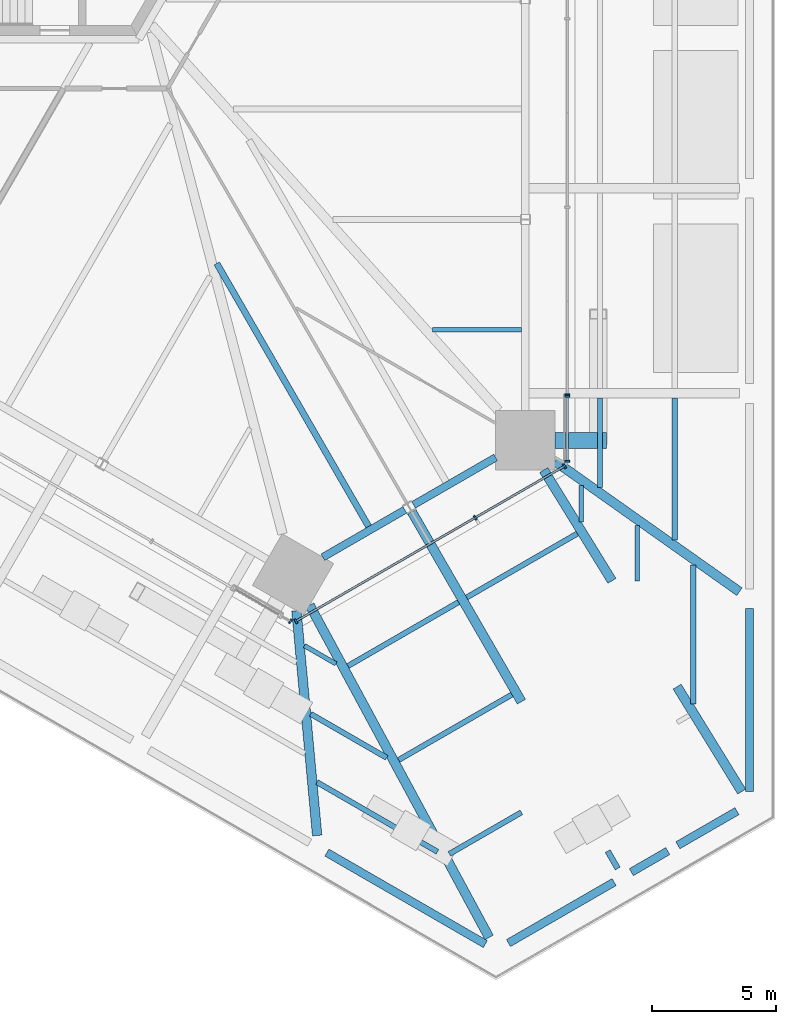
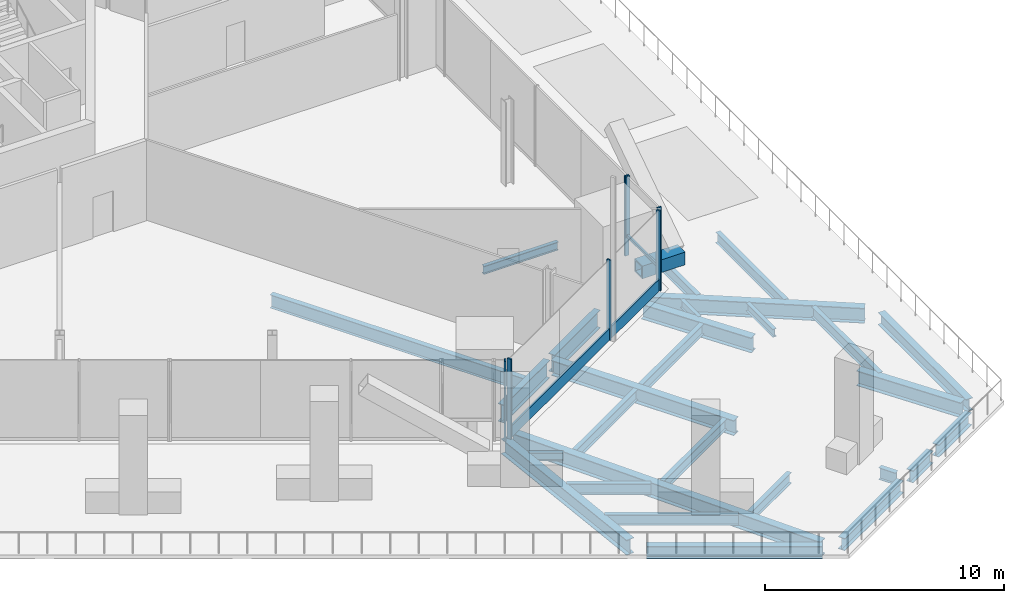
# One storey, part 10 of 38: 28 beams, 11 members, 4 elements without a shape of their own.
"""IFC4 building model written with IfcOpenShell, lengths in metres."""

from ifc_helpers import new_model, si_unit, direction, frame, origin, origin_2d, place, context, subcontext, project, spatial, rectangle, hollow_rectangle, i_section, extrude, source, transform, mapped, material, material_profile, profile_set, type_object, element, aggregate, save


model = new_model("IFC4")

# Units and contexts
model_context = context("Model", 3, precision=1e-05, world=origin(), true_north=direction((0.0, 1.0)))
body_context = subcontext(model_context, "Body", "Model", "MODEL_VIEW")
ifc_project = project(units=[si_unit("LENGTHUNIT", "METRE"), si_unit("AREAUNIT", "SQUARE_METRE"), si_unit("VOLUMEUNIT", "CUBIC_METRE"), si_unit("PLANEANGLEUNIT", "RADIAN"), si_unit("MASSUNIT", "GRAM", prefix="KILO")], contexts=[model_context])

# Site, building, storey
site_placement = place(None, origin())
site = spatial("IfcSite", under=ifc_project, at=site_placement, CompositionType="ELEMENT")
building_placement = place(site_placement, origin())
building = spatial("IfcBuilding", under=site, at=building_placement, Name="Triune Harvest Tower", CompositionType="ELEMENT")
storey_placement = place(building_placement, frame((0.0, 0.0, 16.0)))
storey = spatial("IfcBuildingStorey", under=building, at=storey_placement, Name="L03", CompositionType="ELEMENT", Elevation=16.0)

# Curtain wall, member
ifc_material_1 = material(Name="Aluminium bronze anodised", Category="aluminium")
curtain_wall_type_1 = type_object("IfcCurtainWallType", Name="CW-10 Balcony window wall with insulated spandrel infill", PredefinedType="NOTDEFINED", material=ifc_material_1)
curtain_wall_1_placement = place(storey_placement, origin())
curtain_wall_1 = element("IfcCurtainWall", 1, at=curtain_wall_1_placement, inside=storey, type_object=curtain_wall_type_1, Name="CW-10 B1-F1 L03 run 1")
ifc_material_2 = material(Name="Aluminium bronze anodised", Category="aluminium")
ifc_material_profile_1 = material_profile(ifc_material_2, rectangle(XDim=0.090087890625, YDim=0.14990234375, at=origin_2d()), Name="TR-6 transom 90 x 150")
ifc_profile_set_1 = profile_set([ifc_material_profile_1], Name="Aluminium bronze anodised")
member_type_1 = type_object("IfcMemberType", Name="TR-6 transom 90 x 150", PredefinedType="USERDEFINED", material=ifc_profile_set_1)
member_1_placement = place(storey_placement, frame((23.371337890625, -27.541748046875, 1.06005859375), z_axis=(0.0, 1.0, 0.0), x_axis=(-1.0, 0.0, 0.0)))
member_1 = element("IfcMember", 2, at=member_1_placement, type_object=member_type_1, Name="CW-10 transom B1-F1 1.1", ObjectType="TRANSOM", PredefinedType="USERDEFINED", context=body_context, shape_type="SweptSolid", body=[
    extrude(rectangle(XDim=0.090087890625, YDim=0.14990234375, at=origin_2d()), origin(), (0.0, 0.0, 1.0), 2.546142578125),
])

# Beams
ifc_material_3 = material(Name="Steel ASTM A992 Gr 50", Category="steel")
ifc_material_profile_2 = material_profile(ifc_material_3, i_section(OverallWidth=0.32763671875, OverallDepth=0.62744140625, WebThickness=0.0166015625, FlangeThickness=0.027587890625, at=origin_2d()), Name="W24x146")
ifc_profile_set_2 = profile_set([ifc_material_profile_2], Name="Steel ASTM A992 Gr 50")
beam_type_1 = type_object("IfcBeamType", Name="PD-4 Podium edge beam W24x146", PredefinedType="BEAM", material=ifc_profile_set_2)
shared_shape_1 = source(origin(), body_context, "Body", "SweptSolid", [
    extrude(i_section(OverallWidth=0.32763671875, OverallDepth=0.62744140625, WebThickness=0.0166015625, FlangeThickness=0.027587890625, at=origin_2d()), origin(), (0.0, 0.0, 1.0), 7.3798828125),
])
beam_1_placement = place(storey_placement, frame((30.715087890625, -40.89990234375, -0.513671875), z_axis=(0.0, 1.0, 0.0), x_axis=(-1.0, 0.0, 0.0)))
element("IfcBeam", 3, at=beam_1_placement, inside=storey, type_object=beam_type_1, Name="beam/L03/PE1", PredefinedType="BEAM", context=body_context, shape_type="MappedRepresentation", body=[
    mapped(shared_shape_1, transform((0.0, 0.0, 0.0), scale=1.0)),
])
shared_shape_2 = source(origin(), body_context, "Body", "SweptSolid", [
    extrude(i_section(OverallWidth=0.32763671875, OverallDepth=0.62744140625, WebThickness=0.0166015625, FlangeThickness=0.027587890625, at=origin_2d()), origin(), (0.0, 0.0, 1.0), 2.75390625),
])
beam_2_placement = place(storey_placement, frame((27.830078125, -43.065673828125, -0.513671875), z_axis=(0.866030577522, 0.499991038717, 0.0), x_axis=(-0.499991038717, 0.866030577522, 0.0)))
element("IfcBeam", 4, at=beam_2_placement, inside=storey, type_object=beam_type_1, Name="beam/L03/PE38", PredefinedType="BEAM", context=body_context, shape_type="MappedRepresentation", body=[
    mapped(shared_shape_2, transform((0.0, 0.0, 0.0), scale=1.0)),
])
shared_shape_3 = source(origin(), body_context, "Body", "SweptSolid", [
    extrude(i_section(OverallWidth=0.32763671875, OverallDepth=0.62744140625, WebThickness=0.0166015625, FlangeThickness=0.027587890625, at=origin_2d()), origin(), (0.0, 0.0, 1.0), 1.699951171875),
])
beam_3_placement = place(storey_placement, frame((25.951904296875, -44.14990234375, -0.513671875), z_axis=(0.866087547558, 0.499892348375, 0.0), x_axis=(-0.499892348375, 0.866087547558, 0.0)))
element("IfcBeam", 5, at=beam_3_placement, inside=storey, type_object=beam_type_1, Name="beam/L03/PE37", PredefinedType="BEAM", context=body_context, shape_type="MappedRepresentation", body=[
    mapped(shared_shape_3, transform((0.0, 0.0, 0.0), scale=1.0)),
])
shared_shape_4 = source(origin(), body_context, "Body", "SweptSolid", [
    extrude(i_section(OverallWidth=0.32763671875, OverallDepth=0.62744140625, WebThickness=0.0166015625, FlangeThickness=0.027587890625, at=origin_2d()), origin(), (0.0, 0.0, 1.0), 4.922607421875),
])
beam_4_placement = place(storey_placement, frame((20.995849609375, -47.01123046875, -0.513671875), z_axis=(0.866040230151, 0.499974319101, 0.0), x_axis=(-0.499974319101, 0.866040230151, 0.0)))
element("IfcBeam", 6, at=beam_4_placement, inside=storey, type_object=beam_type_1, Name="beam/L03/PE36", PredefinedType="BEAM", context=body_context, shape_type="MappedRepresentation", body=[
    mapped(shared_shape_4, transform((0.0, 0.0, 0.0), scale=1.0)),
])
shared_shape_5 = source(origin(), body_context, "Body", "SweptSolid", [
    extrude(i_section(OverallWidth=0.32763671875, OverallDepth=0.62744140625, WebThickness=0.0166015625, FlangeThickness=0.027587890625, at=origin_2d()), origin(), (0.0, 0.0, 1.0), 7.380126953125),
])
beam_5_placement = place(storey_placement, frame((13.671630859375, -43.360107421875, -0.513671875), z_axis=(0.866031888401, -0.499988768146, 0.0), x_axis=(0.499988768146, 0.866031888401, 0.0)))
element("IfcBeam", 7, at=beam_5_placement, inside=storey, type_object=beam_type_1, Name="beam/L03/PE35", PredefinedType="BEAM", context=body_context, shape_type="MappedRepresentation", body=[
    mapped(shared_shape_5, transform((0.0, 0.0, 0.0), scale=1.0)),
])
ifc_material_4 = material(Name="Steel ASTM A992 Gr 50", Category="steel")
ifc_material_profile_3 = material_profile(ifc_material_4, i_section(OverallWidth=0.381103515625, OverallDepth=0.772216796875, WebThickness=0.0166015625, FlangeThickness=0.027099609375, at=origin_2d()), Name="W30x173")
ifc_profile_set_3 = profile_set([ifc_material_profile_3], Name="Steel ASTM A992 Gr 50")
beam_type_2 = type_object("IfcBeamType", Name="PD-3 Podium girder W30x173", PredefinedType="BEAM", material=ifc_profile_set_3)
shared_shape_6 = source(origin(), body_context, "Body", "SweptSolid", [
    extrude(i_section(OverallWidth=0.381103515625, OverallDepth=0.772216796875, WebThickness=0.0166015625, FlangeThickness=0.027099609375, at=origin_2d()), origin(), (0.0, 0.0, 1.0), 4.97119140625),
])
beam_6_placement = place(storey_placement, frame((30.406982421875, -40.89990234375, -0.586181640625), z_axis=(-0.524420727845, 0.851459276892, 0.0), x_axis=(-0.851459276892, -0.524420727845, 0.0)))
element("IfcBeam", 8, at=beam_6_placement, inside=storey, type_object=beam_type_2, Name="beam/L03/PR1", PredefinedType="BEAM", context=body_context, shape_type="MappedRepresentation", body=[
    mapped(shared_shape_6, transform((0.0, 0.0, 0.0), scale=1.0)),
])
shared_shape_7 = source(origin(), body_context, "Body", "SweptSolid", [
    extrude(i_section(OverallWidth=0.381103515625, OverallDepth=0.772216796875, WebThickness=0.0166015625, FlangeThickness=0.027099609375, at=origin_2d()), origin(), (0.0, 0.0, 1.0), 5.249755859375),
])
beam_7_placement = place(storey_placement, frame((25.171875, -32.39990234375, -0.586181640625), z_axis=(-0.524432098378, 0.851452273584, 0.0), x_axis=(-0.851452273584, -0.524432098378, 0.0)))
element("IfcBeam", 9, at=beam_7_placement, inside=storey, type_object=beam_type_2, Name="beam/L03/PR2", PredefinedType="BEAM", context=body_context, shape_type="MappedRepresentation", body=[
    mapped(shared_shape_7, transform((0.0, 0.0, 0.0), scale=1.0)),
])
shared_shape_8 = source(origin(), body_context, "Body", "SweptSolid", [
    extrude(i_section(OverallWidth=0.381103515625, OverallDepth=0.772216796875, WebThickness=0.0166015625, FlangeThickness=0.027099609375, at=origin_2d()), origin(), (0.0, 0.0, 1.0), 9.107421875),
])
beam_8_placement = place(storey_placement, frame((30.315185546875, -32.837158203125, -0.586181640625), z_axis=(-0.816463107169, 0.577397605323, 0.0), x_axis=(-0.577397605323, -0.816463107169, 0.0)))
element("IfcBeam", 10, at=beam_8_placement, inside=storey, type_object=beam_type_2, Name="beam/L03/PR3", PredefinedType="BEAM", context=body_context, shape_type="MappedRepresentation", body=[
    mapped(shared_shape_8, transform((0.0, 0.0, 0.0), scale=1.0)),
])
ifc_material_5 = material(Name="Steel ASTM A992 Gr 50", Category="steel")
ifc_material_profile_4 = material_profile(ifc_material_5, i_section(OverallWidth=0.22900390625, OverallDepth=0.612060546875, WebThickness=0.011962890625, FlangeThickness=0.01953125, at=origin_2d()), Name="W24x84")
ifc_profile_set_4 = profile_set([ifc_material_profile_4], Name="Steel ASTM A992 Gr 50")
beam_type_3 = type_object("IfcBeamType", Name="PD-7 Podium short girder W24x84", PredefinedType="BEAM", material=ifc_profile_set_4)
shared_shape_9 = source(origin(), body_context, "Body", "SweptSolid", [
    extrude(i_section(OverallWidth=0.22900390625, OverallDepth=0.612060546875, WebThickness=0.011962890625, FlangeThickness=0.01953125, at=origin_2d()), origin(), (0.0, 0.0, 1.0), 0.8125),
])
beam_9_placement = place(storey_placement, frame((25.405517578125, -44.003662109375, -0.506103515625), z_axis=(-0.500017246033, 0.866015446554, 0.0), x_axis=(-0.866015446554, -0.500017246033, 0.0)))
element("IfcBeam", 11, at=beam_9_placement, inside=storey, type_object=beam_type_3, Name="beam/L03/PR39", PredefinedType="BEAM", context=body_context, shape_type="MappedRepresentation", body=[
    mapped(shared_shape_9, transform((0.0, 0.0, 0.0), scale=1.0)),
])
shared_shape_10 = source(origin(), body_context, "Body", "SweptSolid", [
    extrude(i_section(OverallWidth=0.381103515625, OverallDepth=0.772216796875, WebThickness=0.0166015625, FlangeThickness=0.027099609375, at=origin_2d()), origin(), (0.0, 0.0, 1.0), 8.84814453125),
])
beam_10_placement = place(storey_placement, frame((21.52001953125, -37.273681640625, -0.586181640625), z_axis=(-0.500005886554, 0.866022005154, 0.0), x_axis=(-0.866022005154, -0.500005886554, 0.0)))
element("IfcBeam", 12, at=beam_10_placement, inside=storey, type_object=beam_type_2, Name="beam/L03/PR40", PredefinedType="BEAM", context=body_context, shape_type="MappedRepresentation", body=[
    mapped(shared_shape_10, transform((0.0, 0.0, 0.0), scale=1.0)),
])
shared_shape_11 = source(origin(), body_context, "Body", "SweptSolid", [
    extrude(i_section(OverallWidth=0.381103515625, OverallDepth=0.772216796875, WebThickness=0.0166015625, FlangeThickness=0.027099609375, at=origin_2d()), origin(), (0.0, 0.0, 1.0), 15.232666015625),
])
beam_11_placement = place(storey_placement, frame((20.216796875, -46.783203125, -0.586181640625), z_axis=(-0.475168024555, 0.879895078086, 0.0), x_axis=(-0.879895078086, -0.475168024555, 0.0)))
element("IfcBeam", 13, at=beam_11_placement, inside=storey, type_object=beam_type_2, Name="beam/L03/PR38", PredefinedType="BEAM", context=body_context, shape_type="MappedRepresentation", body=[
    mapped(shared_shape_11, transform((0.0, 0.0, 0.0), scale=1.0)),
])
shared_shape_12 = source(origin(), body_context, "Body", "SweptSolid", [
    extrude(i_section(OverallWidth=0.381103515625, OverallDepth=0.772216796875, WebThickness=0.0166015625, FlangeThickness=0.027099609375, at=origin_2d()), origin(), (0.0, 0.0, 1.0), 9.107177734375),
])
beam_12_placement = place(storey_placement, frame((13.2802734375, -42.672119140625, -0.586181640625), z_axis=(-0.091816732647, 0.995775922387, 0.0), x_axis=(-0.995775922387, -0.091816732647, 0.0)))
element("IfcBeam", 14, at=beam_12_placement, inside=storey, type_object=beam_type_2, Name="beam/L03/PR37", PredefinedType="BEAM", context=body_context, shape_type="MappedRepresentation", body=[
    mapped(shared_shape_12, transform((0.0, 0.0, 0.0), scale=1.0)),
])
ifc_material_6 = material(Name="Steel ASTM A992 Gr 50", Category="steel")
ifc_material_profile_5 = material_profile(ifc_material_6, i_section(OverallWidth=0.2138671875, OverallDepth=0.548583984375, WebThickness=0.0146484375, FlangeThickness=0.023681640625, at=origin_2d()), Name="W21x93")
ifc_profile_set_5 = profile_set([ifc_material_profile_5], Name="Steel ASTM A992 Gr 50")
beam_type_4 = type_object("IfcBeamType", Name="PD-5 Podium joist W21x93", PredefinedType="JOIST", material=ifc_profile_set_5)
shared_shape_13 = source(origin(), body_context, "Body", "SweptSolid", [
    extrude(i_section(OverallWidth=0.2138671875, OverallDepth=0.548583984375, WebThickness=0.0146484375, FlangeThickness=0.023681640625, at=origin_2d()), origin(), (0.0, 0.0, 1.0), 5.613525390625),
])
beam_13_placement = place(storey_placement, frame((28.456298828125, -37.369384765625, -0.474365234375), z_axis=(0.0, 1.0, 0.0), x_axis=(-1.0, 0.0, 0.0)))
element("IfcBeam", 15, at=beam_13_placement, inside=storey, type_object=beam_type_4, Name="beam/L03/PJ1", PredefinedType="JOIST", context=body_context, shape_type="MappedRepresentation", body=[
    mapped(shared_shape_13, transform((0.0, 0.0, 0.0), scale=1.0)),
])
ifc_material_7 = material(Name="Steel ASTM A992 Gr 50", Category="steel")
ifc_material_profile_6 = material_profile(ifc_material_7, i_section(OverallWidth=0.180908203125, OverallDepth=0.41650390625, WebThickness=0.010986328125, FlangeThickness=0.01806640625, at=origin_2d()), Name="W16x57")
ifc_profile_set_6 = profile_set([ifc_material_profile_6], Name="Steel ASTM A992 Gr 50")
beam_type_5 = type_object("IfcBeamType", Name="PD-6 Podium short joist W16x57", PredefinedType="JOIST", material=ifc_profile_set_6)
shared_shape_14 = source(origin(), body_context, "Body", "SweptSolid", [
    extrude(i_section(OverallWidth=0.180908203125, OverallDepth=0.41650390625, WebThickness=0.010986328125, FlangeThickness=0.01806640625, at=origin_2d()), origin(), (0.0, 0.0, 1.0), 2.24169921875),
])
beam_14_placement = place(storey_placement, frame((26.197265625, -32.39990234375, -0.408203125), z_axis=(0.0, 1.0, 0.0), x_axis=(-1.0, 0.0, 0.0)))
element("IfcBeam", 16, at=beam_14_placement, inside=storey, type_object=beam_type_5, Name="beam/L03/PJ2", PredefinedType="JOIST", context=body_context, shape_type="MappedRepresentation", body=[
    mapped(shared_shape_14, transform((0.0, 0.0, 0.0), scale=1.0)),
])
shared_shape_15 = source(origin(), body_context, "Body", "SweptSolid", [
    extrude(i_section(OverallWidth=0.180908203125, OverallDepth=0.41650390625, WebThickness=0.010986328125, FlangeThickness=0.01806640625, at=origin_2d()), origin(), (0.0, 0.0, 1.0), 1.473388671875),
])
for number, where, z_axis, x_axis, name in (
    (17, (23.9384765625, -30.0341796875, -0.408203125), (0.0, 1.0, 0.0), (-1.0, 0.0, 0.0), "beam/L03/PJ3"),
    (18, (12.76513671875, -35.01171875, -0.408203125), (0.866083503307, -0.499899355171, 0.0), (0.499899355171, 0.866083503307, 0.0), "beam/L03/PJ77"),
):
    element("IfcBeam", number, at=place(storey_placement, frame(where, z_axis=z_axis, x_axis=x_axis)), inside=storey, type_object=beam_type_5, Name=name, PredefinedType="JOIST", context=body_context, shape_type="MappedRepresentation", body=[
        mapped(shared_shape_15, transform((0.0, 0.0, 0.0), scale=1.0)),
    ])
shared_shape_16 = source(origin(), body_context, "Body", "SweptSolid", [
    extrude(i_section(OverallWidth=0.2138671875, OverallDepth=0.548583984375, WebThickness=0.0146484375, FlangeThickness=0.023681640625, at=origin_2d()), origin(), (0.0, 0.0, 1.0), 5.72607421875),
])
beam_15_placement = place(storey_placement, frame((27.703125, -30.756591796875, -0.474365234375), z_axis=(0.0, 1.0, 0.0), x_axis=(-1.0, 0.0, 0.0)))
element("IfcBeam", 19, at=beam_15_placement, inside=storey, type_object=beam_type_4, Name="beam/L03/PJ4", PredefinedType="JOIST", context=body_context, shape_type="MappedRepresentation", body=[
    mapped(shared_shape_16, transform((0.0, 0.0, 0.0), scale=1.0)),
])
shared_shape_17 = source(origin(), body_context, "Body", "SweptSolid", [
    extrude(i_section(OverallWidth=0.2138671875, OverallDepth=0.548583984375, WebThickness=0.0146484375, FlangeThickness=0.023681640625, at=origin_2d()), origin(), (0.0, 0.0, 1.0), 3.59619140625),
])
beam_16_placement = place(storey_placement, frame((24.69140625, -28.626708984375, -0.474365234375), z_axis=(0.0, 1.0, 0.0), x_axis=(-1.0, 0.0, 0.0)))
element("IfcBeam", 20, at=beam_16_placement, inside=storey, type_object=beam_type_4, Name="beam/L03/PJ5", PredefinedType="JOIST", context=body_context, shape_type="MappedRepresentation", body=[
    mapped(shared_shape_17, transform((0.0, 0.0, 0.0), scale=1.0)),
])
shared_shape_18 = source(origin(), body_context, "Body", "SweptSolid", [
    extrude(i_section(OverallWidth=0.2138671875, OverallDepth=0.548583984375, WebThickness=0.0146484375, FlangeThickness=0.023681640625, at=origin_2d()), origin(), (0.0, 0.0, 1.0), 5.151611328125),
])
beam_17_placement = place(storey_placement, frame((19.31201171875, -33.068603515625, -0.474365234375), z_axis=(0.866035639972, 0.499982269985, 0.0), x_axis=(-0.499982269985, 0.866035639972, 0.0)))
element("IfcBeam", 21, at=beam_17_placement, inside=storey, type_object=beam_type_4, Name="beam/L03/PJ82", PredefinedType="JOIST", context=body_context, shape_type="MappedRepresentation", body=[
    mapped(shared_shape_18, transform((0.0, 0.0, 0.0), scale=1.0)),
])
shared_shape_19 = source(origin(), body_context, "Body", "SweptSolid", [
    extrude(i_section(OverallWidth=0.2138671875, OverallDepth=0.548583984375, WebThickness=0.0146484375, FlangeThickness=0.023681640625, at=origin_2d()), origin(), (0.0, 0.0, 1.0), 3.355224609375),
])
beam_18_placement = place(storey_placement, frame((18.6142578125, -43.414794921875, -0.474365234375), z_axis=(0.866013522419, 0.500020578564, 0.0), x_axis=(-0.500020578564, 0.866013522419, 0.0)))
element("IfcBeam", 22, at=beam_18_placement, inside=storey, type_object=beam_type_4, Name="beam/L03/PJ78", PredefinedType="JOIST", context=body_context, shape_type="MappedRepresentation", body=[
    mapped(shared_shape_19, transform((0.0, 0.0, 0.0), scale=1.0)),
])
shared_shape_20 = source(origin(), body_context, "Body", "SweptSolid", [
    extrude(i_section(OverallWidth=0.2138671875, OverallDepth=0.548583984375, WebThickness=0.0146484375, FlangeThickness=0.023681640625, at=origin_2d()), origin(), (0.0, 0.0, 1.0), 5.27392578125),
])
beam_19_placement = place(storey_placement, frame((16.567626953125, -39.624755859375, -0.474365234375), z_axis=(0.866026783594, 0.499997610092, 0.0), x_axis=(-0.499997610092, 0.866026783594, 0.0)))
element("IfcBeam", 23, at=beam_19_placement, inside=storey, type_object=beam_type_4, Name="beam/L03/PJ79", PredefinedType="JOIST", context=body_context, shape_type="MappedRepresentation", body=[
    mapped(shared_shape_20, transform((0.0, 0.0, 0.0), scale=1.0)),
])
shared_shape_21 = source(origin(), body_context, "Body", "SweptSolid", [
    extrude(i_section(OverallWidth=0.2138671875, OverallDepth=0.548583984375, WebThickness=0.0146484375, FlangeThickness=0.023681640625, at=origin_2d()), origin(), (0.0, 0.0, 1.0), 5.1513671875),
])
beam_20_placement = place(storey_placement, frame((14.52099609375, -35.834716796875, -0.474365234375), z_axis=(0.866023792161, 0.500002791403, 0.0), x_axis=(-0.500002791403, 0.866023792161, 0.0)))
element("IfcBeam", 24, at=beam_20_placement, inside=storey, type_object=beam_type_4, Name="beam/L03/PJ80", PredefinedType="JOIST", context=body_context, shape_type="MappedRepresentation", body=[
    mapped(shared_shape_21, transform((0.0, 0.0, 0.0), scale=1.0)),
])
shared_shape_22 = source(origin(), body_context, "Body", "SweptSolid", [
    extrude(i_section(OverallWidth=0.2138671875, OverallDepth=0.548583984375, WebThickness=0.0146484375, FlangeThickness=0.023681640625, at=origin_2d()), origin(), (0.0, 0.0, 1.0), 5.61376953125),
])
beam_21_placement = place(storey_placement, frame((13.273193359375, -40.521484375, -0.474365234375), z_axis=(0.866021183736, -0.500007309266, 0.0), x_axis=(0.500007309266, 0.866021183736, 0.0)))
element("IfcBeam", 25, at=beam_21_placement, inside=storey, type_object=beam_type_4, Name="beam/L03/PJ75", PredefinedType="JOIST", context=body_context, shape_type="MappedRepresentation", body=[
    mapped(shared_shape_22, transform((0.0, 0.0, 0.0), scale=1.0)),
])
shared_shape_23 = source(origin(), body_context, "Body", "SweptSolid", [
    extrude(i_section(OverallWidth=0.2138671875, OverallDepth=0.548583984375, WebThickness=0.0146484375, FlangeThickness=0.023681640625, at=origin_2d()), origin(), (0.0, 0.0, 1.0), 3.54345703125),
])
beam_22_placement = place(storey_placement, frame((13.019287109375, -37.7666015625, -0.474365234375), z_axis=(0.866016916595, -0.500014699955, 0.0), x_axis=(0.500014699955, 0.866016916595, 0.0)))
element("IfcBeam", 26, at=beam_22_placement, inside=storey, type_object=beam_type_4, Name="beam/L03/PJ76", PredefinedType="JOIST", context=body_context, shape_type="MappedRepresentation", body=[
    mapped(shared_shape_23, transform((0.0, 0.0, 0.0), scale=1.0)),
])
ifc_material_8 = material(Name="Steel ASTM A992 Gr 50", Category="steel")
ifc_material_profile_7 = material_profile(ifc_material_8, i_section(OverallWidth=0.3046875, OverallDepth=0.914306640625, WebThickness=0.0166015625, FlangeThickness=0.02587890625, at=origin_2d()), Name="W36x160")
ifc_profile_set_7 = profile_set([ifc_material_profile_7], Name="Steel ASTM A992 Gr 50")
beam_type_6 = type_object("IfcBeamType", Name="SB-1 Spandrel beam W36x160", PredefinedType="SPANDREL", material=ifc_profile_set_7)
shared_shape_24 = source(origin(), body_context, "Body", "SweptSolid", [
    extrude(i_section(OverallWidth=0.3046875, OverallDepth=0.914306640625, WebThickness=0.0166015625, FlangeThickness=0.02587890625, at=origin_2d()), origin(), (0.0, 0.0, 1.0), 3.822265625),
])
beam_23_placement = place(storey_placement, frame((17.169189453125, -29.333984375, -0.6572265625), z_axis=(0.866033487859, 0.499985997711, 0.0), x_axis=(-0.499985997711, 0.866033487859, 0.0)))
element("IfcBeam", 27, at=beam_23_placement, inside=storey, type_object=beam_type_6, Name="beam/L03/SB24", PredefinedType="SPANDREL", context=body_context, shape_type="MappedRepresentation", body=[
    mapped(shared_shape_24, transform((0.0, 0.0, 0.0), scale=1.0)),
])
shared_shape_25 = source(origin(), body_context, "Body", "SweptSolid", [
    extrude(i_section(OverallWidth=0.3046875, OverallDepth=0.914306640625, WebThickness=0.0166015625, FlangeThickness=0.02587890625, at=origin_2d()), origin(), (0.0, 0.0, 1.0), 3.822509765625),
])
beam_24_placement = place(storey_placement, frame((13.509033203125, -31.447265625, -0.6572265625), z_axis=(0.866005830769, 0.500033899925, 0.0), x_axis=(-0.500033899925, 0.866005830769, 0.0)))
element("IfcBeam", 28, at=beam_24_placement, inside=storey, type_object=beam_type_6, Name="beam/L03/SB23", PredefinedType="SPANDREL", context=body_context, shape_type="MappedRepresentation", body=[
    mapped(shared_shape_25, transform((0.0, 0.0, 0.0), scale=1.0)),
])
ifc_material_9 = material(Name="Steel ASTM A992 Gr 50", Category="steel")
ifc_material_profile_8 = material_profile(ifc_material_9, i_section(OverallWidth=0.180908203125, OverallDepth=0.41650390625, WebThickness=0.010986328125, FlangeThickness=0.01806640625, at=origin_2d()), Name="W16x57")
ifc_profile_set_8 = profile_set([ifc_material_profile_8], Name="Steel ASTM A992 Gr 50")
beam_type_7 = type_object("IfcBeamType", Name="JT-1 Floor joist W16x57", PredefinedType="JOIST", material=ifc_profile_set_8)
shared_shape_26 = source(origin(), body_context, "Body", "SweptSolid", [
    extrude(i_section(OverallWidth=0.180908203125, OverallDepth=0.41650390625, WebThickness=0.010986328125, FlangeThickness=0.01806640625, at=origin_2d()), origin(), (0.0, 0.0, 1.0), 3.599365234375),
])
beam_25_placement = place(storey_placement, frame((21.527099609375, -22.27490234375, -0.408203125), z_axis=(-1.0, 0.0, 0.0), x_axis=(0.0, -1.0, 0.0)))
element("IfcBeam", 29, at=beam_25_placement, inside=storey, type_object=beam_type_7, Name="beam/L03/JT1", PredefinedType="JOIST", context=body_context, shape_type="MappedRepresentation", body=[
    mapped(shared_shape_26, transform((0.0, 0.0, 0.0), scale=1.0)),
])
ifc_material_10 = material(Name="Steel ASTM A992 Gr 50", Category="steel")
ifc_material_profile_9 = material_profile(ifc_material_10, i_section(OverallWidth=0.253662109375, OverallDepth=0.683349609375, WebThickness=0.012451171875, FlangeThickness=0.01904296875, at=origin_2d()), Name="W27x94")
ifc_profile_set_9 = profile_set([ifc_material_profile_9], Name="Steel ASTM A992 Gr 50")
beam_type_8 = type_object("IfcBeamType", Name="JT-4 Floor joist W27x94", PredefinedType="JOIST", material=ifc_profile_set_9)
shared_shape_27 = source(origin(), body_context, "Body", "SweptSolid", [
    extrude(i_section(OverallWidth=0.253662109375, OverallDepth=0.683349609375, WebThickness=0.012451171875, FlangeThickness=0.01904296875, at=origin_2d()), origin(), (0.0, 0.0, 1.0), 12.2509765625),
])
beam_26_placement = place(storey_placement, frame((15.3564453125, -30.20458984375, -0.54150390625), z_axis=(-0.500001335473, 0.866024632748, 0.0), x_axis=(-0.866024632748, -0.500001335473, 0.0)))
element("IfcBeam", 30, at=beam_26_placement, inside=storey, type_object=beam_type_8, Name="beam/L03/JT38", PredefinedType="JOIST", context=body_context, shape_type="MappedRepresentation", body=[
    mapped(shared_shape_27, transform((0.0, 0.0, 0.0), scale=1.0)),
])

# Member
ifc_material_11 = material(Name="Steel ASTM A572 Gr 50", Category="steel")
ifc_material_profile_10 = material_profile(ifc_material_11, hollow_rectangle(XDim=0.64990234375, YDim=0.64990234375, WallThickness=0.070068359375, at=origin_2d()), Name="Box 650x650x70")
ifc_profile_set_10 = profile_set([ifc_material_profile_10], Name="Steel ASTM A572 Gr 50")
member_type_2 = type_object("IfcMemberType", Name="BS-1 Brace stub Box 650x650x70", PredefinedType="STRUT", material=ifc_profile_set_10)
shared_shape_28 = source(origin(), body_context, "Body", "SweptSolid", [
    extrude(hollow_rectangle(XDim=0.64990234375, YDim=0.64990234375, WallThickness=0.070068359375, at=origin_2d()), origin(), (0.0, 0.0, 1.0), 2.072021484375),
])
member_2_placement = place(storey_placement, frame((22.87939453125, -26.72998046875, 0.60009765625), z_axis=(1.0, 0.0, 0.0), x_axis=(0.0, 1.0, 0.0)))
element("IfcMember", 31, at=member_2_placement, inside=storey, type_object=member_type_2, Name="brace/B1-F1/stub1", PredefinedType="STRUT", context=body_context, shape_type="MappedRepresentation", body=[
    mapped(shared_shape_28, transform((0.0, 0.0, 0.0), scale=1.0)),
])

ifc_material_12 = material(Name="Aluminium bronze anodised", Category="aluminium")
ifc_material_profile_11 = material_profile(ifc_material_12, rectangle(XDim=0.199951171875, YDim=0.074951171875, at=origin_2d()), Name="MU-6 mullion 75 x 200")
ifc_profile_set_11 = profile_set([ifc_material_profile_11], Name="Aluminium bronze anodised")
member_type_3 = type_object("IfcMemberType", Name="MU-6 mullion 75 x 200", PredefinedType="MULLION", material=ifc_profile_set_11)
shared_shape_29 = source(origin(), body_context, "Body", "SweptSolid", [
    extrude(rectangle(XDim=0.199951171875, YDim=0.074951171875, at=origin_2d()), origin(), (0.0, 0.0, 1.0), 3.114990234375),
])
member_3_placement = place(storey_placement, frame((23.371337890625, -27.579345703125, 0.985107421875), z_axis=(0.0, 0.0, 1.0), x_axis=(-1.0, 0.0, 0.0)))
member_3 = element("IfcMember", 32, at=member_3_placement, type_object=member_type_3, Name="CW-10 mullion B1-F1 1.1", PredefinedType="MULLION", context=body_context, shape_type="MappedRepresentation", body=[
    mapped(shared_shape_29, transform((0.0, 0.0, 0.0), scale=1.0)),
])

member_4_placement = place(storey_placement, frame((23.371337890625, -24.958251953125, 0.985107421875), z_axis=(0.0, 0.0, 1.0), x_axis=(-1.0, 0.0, 0.0)))
member_4 = element("IfcMember", 33, at=member_4_placement, type_object=member_type_3, Name="CW-10 mullion B1-F1 1.2", PredefinedType="MULLION", context=body_context, shape_type="MappedRepresentation", body=[
    mapped(shared_shape_29, transform((0.0, 0.0, 0.0), scale=1.0)),
])

aggregate(curtain_wall_1, [member_3, member_4, member_1])

# Curtain wall, member
curtain_wall_2_placement = place(storey_placement, origin())
curtain_wall_2 = element("IfcCurtainWall", 34, at=curtain_wall_2_placement, inside=storey, type_object=curtain_wall_type_1, Name="CW-10 B1-F1 L03 run 101")
shared_shape_30 = source(origin(), body_context, "Body", "SweptSolid", [
    extrude(rectangle(XDim=0.199951171875, YDim=0.074951171875, at=origin_2d()), origin(), (0.0, 0.0, 1.0), 4.10009765625),
])
member_5_placement = place(storey_placement, frame((23.371337890625, -24.88330078125, 0.0), z_axis=(0.0, 0.0, 1.0), x_axis=(-1.0, 0.0, 0.0)))
member_5 = element("IfcMember", 35, at=member_5_placement, type_object=member_type_3, Name="CW-10 mullion B1-F1 101.1", PredefinedType="MULLION", context=body_context, shape_type="MappedRepresentation", body=[
    mapped(shared_shape_30, transform((0.0, 0.0, 0.0), scale=1.0)),
])
aggregate(curtain_wall_2, [member_5])

ifc_material_13 = material(Name="Aluminium bronze anodised", Category="aluminium")
curtain_wall_type_2 = type_object("IfcCurtainWallType", Name="CW-6 Balcony window wall", PredefinedType="NOTDEFINED", material=ifc_material_13)
curtain_wall_3_placement = place(storey_placement, origin())
curtain_wall_3 = element("IfcCurtainWall", 36, at=curtain_wall_3_placement, inside=storey, type_object=curtain_wall_type_2, Name="CW-6 B1-F5 L03 run 202")
member_6_placement = place(storey_placement, frame((12.19873046875, -34.02978515625, 0.0), z_axis=(0.0, 0.0, 1.0), x_axis=(0.499975448906, 0.866039577901, 0.0)))
member_6 = element("IfcMember", 37, at=member_6_placement, type_object=member_type_3, Name="CW-6 mullion B1-F5 202.2", PredefinedType="MULLION", context=body_context, shape_type="MappedRepresentation", body=[
    mapped(shared_shape_30, transform((0.0, 0.0, 0.0), scale=1.0)),
])
aggregate(curtain_wall_3, [member_6])

# Curtain wall, members
ifc_material_14 = material(Name="Aluminium bronze anodised", Category="aluminium")
curtain_wall_type_3 = type_object("IfcCurtainWallType", Name="CW-3 Farm floor curtain wall", PredefinedType="NOTDEFINED", material=ifc_material_14)
curtain_wall_4_placement = place(storey_placement, origin())
curtain_wall_4 = element("IfcCurtainWall", 38, at=curtain_wall_4_placement, inside=storey, type_object=curtain_wall_type_3, Name="CW-3 B1-F6 L03 run 1")
ifc_material_15 = material(Name="Aluminium bronze anodised", Category="aluminium")
ifc_material_profile_12 = material_profile(ifc_material_15, rectangle(XDim=0.199951171875, YDim=0.080078125, at=origin_2d()), Name="MU-3 mullion 80 x 200")
ifc_profile_set_12 = profile_set([ifc_material_profile_12], Name="Aluminium bronze anodised")
member_type_4 = type_object("IfcMemberType", Name="MU-3 mullion 80 x 200", PredefinedType="MULLION", material=ifc_profile_set_12)
shared_shape_31 = source(origin(), body_context, "Body", "SweptSolid", [
    extrude(rectangle(XDim=0.199951171875, YDim=0.080078125, at=origin_2d()), origin(), (0.0, 0.0, 1.0), 4.10009765625),
])
member_7_placement = place(storey_placement, frame((12.421630859375, -34.028564453125, 0.0), z_axis=(0.0, 0.0, 1.0), x_axis=(-0.499998715149, 0.866026145592, 0.0)))
member_7 = element("IfcMember", 39, at=member_7_placement, type_object=member_type_4, Name="CW-3 mullion B1-F6 1.1", PredefinedType="MULLION", context=body_context, shape_type="MappedRepresentation", body=[
    mapped(shared_shape_31, transform((0.0, 0.0, 0.0), scale=1.0)),
])
member_8_placement = place(storey_placement, frame((19.657958984375, -29.850830078125, 0.0), z_axis=(0.0, 0.0, 1.0), x_axis=(-0.499998715149, 0.866026145592, 0.0)))
member_8 = element("IfcMember", 40, at=member_8_placement, type_object=member_type_4, Name="CW-3 mullion B1-F6 1.3", PredefinedType="MULLION", context=body_context, shape_type="MappedRepresentation", body=[
    mapped(shared_shape_31, transform((0.0, 0.0, 0.0), scale=1.0)),
])
member_9_placement = place(storey_placement, frame((23.2587890625, -27.771728515625, 0.0), z_axis=(0.0, 0.0, 1.0), x_axis=(-0.499998715149, 0.866026145592, 0.0)))
member_9 = element("IfcMember", 41, at=member_9_placement, type_object=member_type_4, Name="CW-3 mullion B1-F6 1.4", PredefinedType="MULLION", context=body_context, shape_type="MappedRepresentation", body=[
    mapped(shared_shape_31, transform((0.0, 0.0, 0.0), scale=1.0)),
])
ifc_material_16 = material(Name="Aluminium bronze anodised", Category="aluminium")
ifc_material_profile_13 = material_profile(ifc_material_16, rectangle(XDim=0.090087890625, YDim=0.60009765625, at=origin_2d()), Name="TR-3 transom 90 x 600")
ifc_profile_set_13 = profile_set([ifc_material_profile_13], Name="Aluminium bronze anodised")
member_type_5 = type_object("IfcMemberType", Name="TR-3 transom 90 x 600", PredefinedType="USERDEFINED", material=ifc_profile_set_13)
shared_shape_32 = source(origin(), body_context, "Body", "SweptSolid", [
    extrude(rectangle(XDim=0.090087890625, YDim=0.60009765625, at=origin_2d()), origin(), (0.0, 0.0, 1.0), 4.077880859375),
])
member_10_placement = place(storey_placement, frame((19.692626953125, -29.830810546875, 0.300048828125), z_axis=(0.86600911372, 0.500028214158, 0.0), x_axis=(-0.500028214158, 0.86600911372, 0.0)))
member_10 = element("IfcMember", 42, at=member_10_placement, type_object=member_type_5, Name="CW-3 transom B1-F6 1.2", ObjectType="TRANSOM", PredefinedType="USERDEFINED", context=body_context, shape_type="MappedRepresentation", body=[
    mapped(shared_shape_32, transform((0.0, 0.0, 0.0), scale=1.0)),
])
shared_shape_33 = source(origin(), body_context, "Body", "SweptSolid", [
    extrude(rectangle(XDim=0.090087890625, YDim=0.60009765625, at=origin_2d()), origin(), (0.0, 0.0, 1.0), 8.275634765625),
])
member_11_placement = place(storey_placement, frame((12.456298828125, -34.008544921875, 0.300048828125), z_axis=(0.866034275465, 0.499984633485, 0.0), x_axis=(-0.499984633485, 0.866034275465, 0.0)))
member_11 = element("IfcMember", 43, at=member_11_placement, type_object=member_type_5, Name="CW-3 transom B1-F6 1.1", ObjectType="TRANSOM", PredefinedType="USERDEFINED", context=body_context, shape_type="MappedRepresentation", body=[
    mapped(shared_shape_33, transform((0.0, 0.0, 0.0), scale=1.0)),
])
aggregate(curtain_wall_4, [member_7, member_8, member_9, member_11, member_10])

save(model, "model.ifc")
